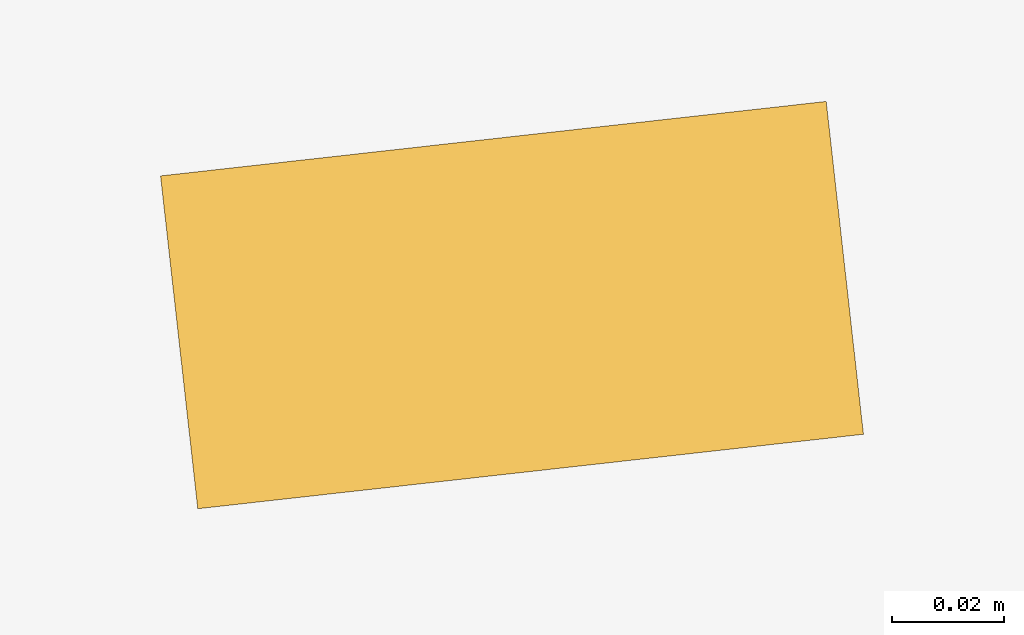
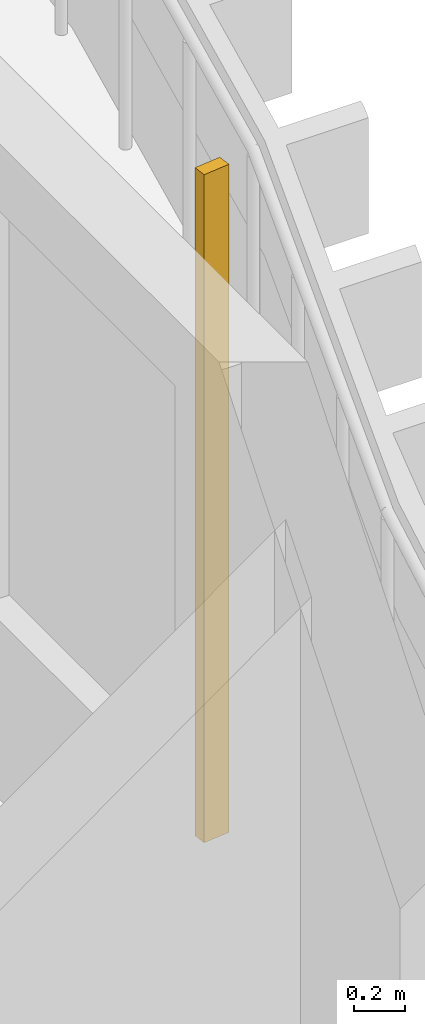
# One storey, part 19 of 21: 1 shading device.
"""IFC4 building model written with IfcOpenShell, lengths in metres."""

from ifc_helpers import new_model, si_unit, direction, frame, origin, origin_2d, place, context, subcontext, project, spatial, rectangle, extrude, source, transform, mapped, material, material_profile, profile_set, type_object, element, save


model = new_model("IFC4")

# Units and contexts
model_context = context("Model", 3, precision=1e-05, world=origin(), true_north=direction((0.0, 1.0)))
body_context = subcontext(model_context, "Body", "Model", "MODEL_VIEW")
ifc_project = project(units=[si_unit("LENGTHUNIT", "METRE"), si_unit("AREAUNIT", "SQUARE_METRE"), si_unit("VOLUMEUNIT", "CUBIC_METRE"), si_unit("PLANEANGLEUNIT", "RADIAN"), si_unit("MASSUNIT", "GRAM", prefix="KILO")], contexts=[model_context])

# Site, building, storey
site_placement = place(None, origin())
site = spatial("IfcSite", under=ifc_project, at=site_placement, CompositionType="ELEMENT")
building_placement = place(site_placement, origin())
building = spatial("IfcBuilding", under=site, at=building_placement, Name="Kilnfold Tower and Market Hall", CompositionType="ELEMENT")
storey_placement = place(building_placement, frame((0.0, 0.0, 147.300048828125)))
storey = spatial("IfcBuildingStorey", under=building, at=storey_placement, Name="L33", CompositionType="ELEMENT", Elevation=147.300048828125)

# Shading device
ifc_material = material(Name="Terracotta", Category="masonry")
ifc_material_profile = material_profile(ifc_material, rectangle(XDim=0.06005859375, YDim=0.1201171875, at=origin_2d()), Name="BAG 60x120")
ifc_profile_set = profile_set([ifc_material_profile], Name="Terracotta")
shading_device_type = type_object("IfcShadingDeviceType", Name="BAGUETTE", PredefinedType="USERDEFINED", material=ifc_profile_set)
shared_shape = source(origin(), body_context, "Body", "SweptSolid", [
    extrude(rectangle(XDim=0.06005859375, YDim=0.1201171875, at=origin_2d()), origin(), (0.0, 0.0, 1.0), 3.179931640625),
])
shading_device_placement = place(storey_placement, frame((25.550048828125, 5.971923828125, 0.0), z_axis=(0.0, 0.0, 1.0), x_axis=(-0.111175804937, 0.993800754878, 0.0)))
element("IfcShadingDevice", 1, at=shading_device_placement, inside=storey, type_object=shading_device_type, Name="Terracotta baguette L33 E", ObjectType="BAGUETTE", PredefinedType="USERDEFINED", context=body_context, shape_type="MappedRepresentation", body=[
    mapped(shared_shape, transform((0.0, 0.0, 0.0))),
])

save(model, "model.ifc")
